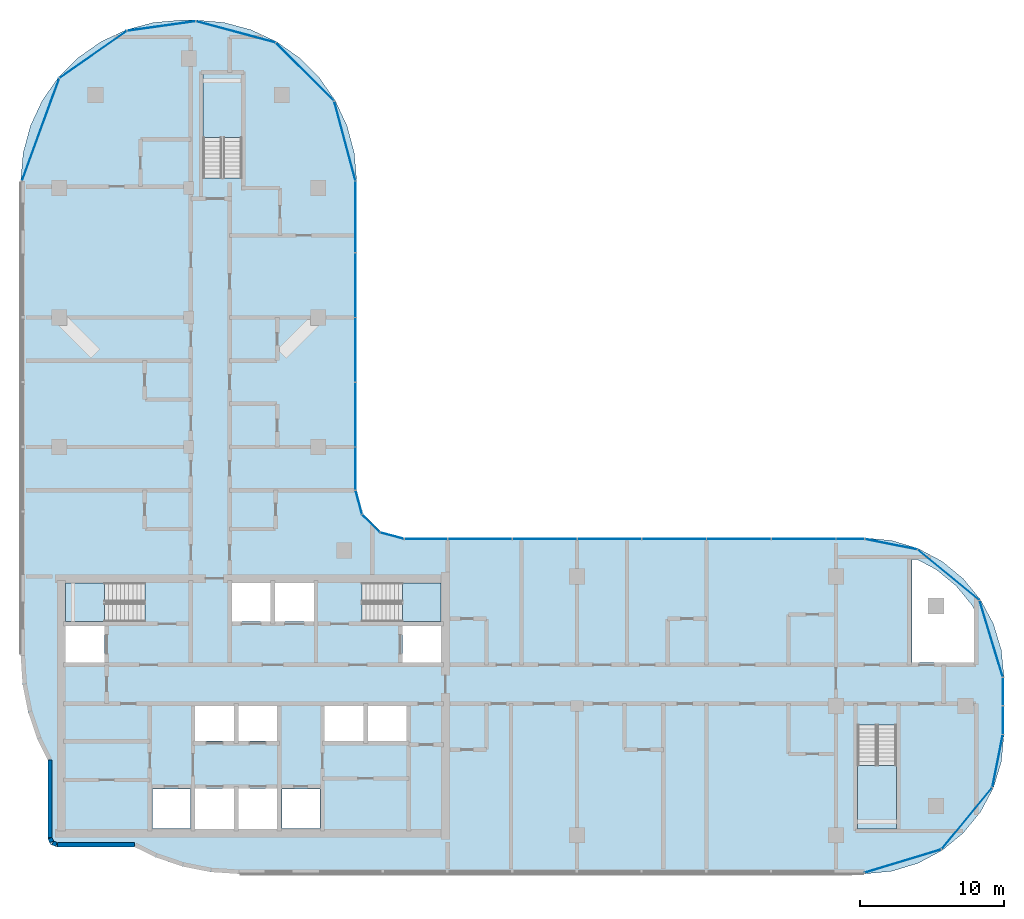
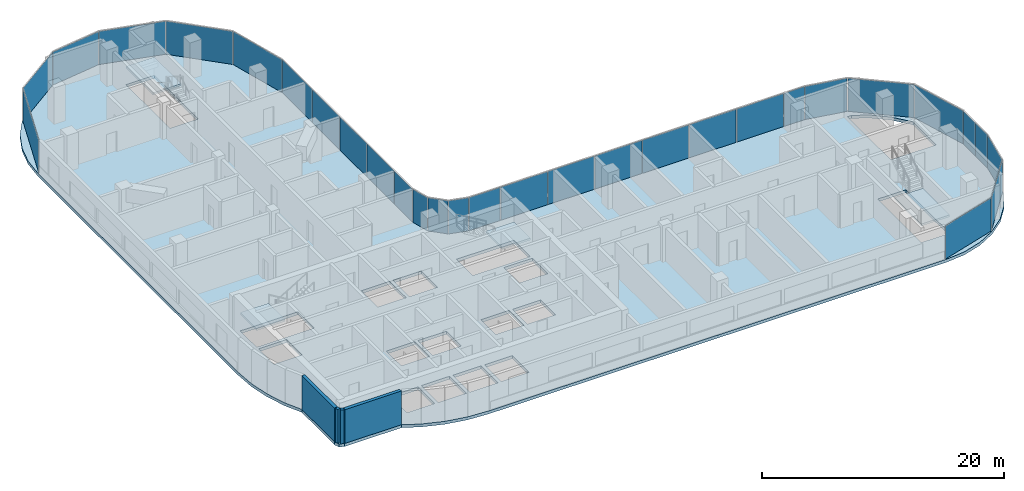
# One storey, part 9 of 23: 30 plates, 5 slabs, 4 walls, 11 elements without a shape of their own.
"""IFC4 building model written with IfcOpenShell, lengths in metres."""

from ifc_helpers import new_model, si_unit, direction, frame, frame_2d, origin, origin_2d, place, context, subcontext, project, spatial, polyline, rectangle, outline, extrude, material, layer, layer_set, type_object, element, aggregate, save


model = new_model("IFC4")

# Units and contexts
model_context = context("Model", 3, precision=1e-05, world=origin(), true_north=direction((0.0, 1.0)))
body_context = subcontext(model_context, "Body", "Model", "MODEL_VIEW")
ifc_project = project(units=[si_unit("LENGTHUNIT", "METRE"), si_unit("AREAUNIT", "SQUARE_METRE"), si_unit("VOLUMEUNIT", "CUBIC_METRE"), si_unit("PLANEANGLEUNIT", "RADIAN"), si_unit("MASSUNIT", "GRAM", prefix="KILO")], contexts=[model_context])

# Site, building, storey
site_placement = place(None, origin())
site = spatial("IfcSite", under=ifc_project, at=site_placement, CompositionType="ELEMENT")
building_placement = place(site_placement, origin())
building = spatial("IfcBuilding", under=site, at=building_placement, Name="Ogive Portal Towers", CompositionType="ELEMENT")
storey_placement = place(building_placement, frame((0.0, 0.0, 186.60009765625)))
storey = spatial("IfcBuildingStorey", under=building, at=storey_placement, Name="L46", CompositionType="ELEMENT", Elevation=186.60009765625)

# Curtain wall, plates
ifc_material_1 = material(Name="Glass, clear low-iron insulated glazing", Category="glass")
curtain_wall_type = type_object("IfcCurtainWallType", Name="CW FRONT RIBBON 4500", PredefinedType="NOTDEFINED", material=ifc_material_1)
curtain_wall_1_placement = place(storey_placement, origin())
curtain_wall_1 = element("IfcCurtainWall", 1, at=curtain_wall_1_placement, inside=storey, type_object=curtain_wall_type, Name="A:L46:f12:cw0", PredefinedType="NOTDEFINED")
ifc_layer_1 = layer(ifc_material_1, 0.028076171875)
ifc_layer_set_1 = layer_set([ifc_layer_1], Name="CW PANEL IGU 28")
plate_type = type_object("IfcPlateType", Name="CW PANEL IGU 28", PredefinedType="CURTAIN_PANEL", material=ifc_layer_set_1)
plate_1_placement = place(storey_placement, frame((97.10009765625, 29.50390625, 0.0), z_axis=(0.0, 0.0, 1.0), x_axis=(0.0, 1.0, 0.0)))
plate_1 = element("IfcPlate", 2, at=plate_1_placement, type_object=plate_type, Name="panel", PredefinedType="CURTAIN_PANEL", context=body_context, shape_type="SweptSolid", body=[
    extrude(rectangle(XDim=1.93212890625, YDim=0.028076171875, at=origin_2d()), origin(), (0.0, 0.0, 1.0), 3.340087890625),
])
plate_2_placement = place(storey_placement, frame((97.10009765625, 31.494140625, 0.0), z_axis=(0.0, 0.0, 1.0), x_axis=(0.0, 1.0, 0.0)))
plate_2 = element("IfcPlate", 3, at=plate_2_placement, type_object=plate_type, Name="panel", PredefinedType="CURTAIN_PANEL", context=body_context, shape_type="SweptSolid", body=[
    extrude(rectangle(XDim=1.92822265625, YDim=0.028076171875, at=origin_2d()), origin(), (0.0, 0.0, 1.0), 3.340087890625),
])
aggregate(curtain_wall_1, [plate_1, plate_2])

curtain_wall_2_placement = place(storey_placement, origin())
curtain_wall_2 = element("IfcCurtainWall", 4, at=curtain_wall_2_placement, inside=storey, type_object=curtain_wall_type, Name="A:L46:f16:cw0", PredefinedType="NOTDEFINED")
plate_3_placement = place(storey_placement, frame((86.49609375, 42.10009765625, 0.0), z_axis=(0.0, 0.0, 1.0), x_axis=(-1.0, 0.0, 0.0)))
plate_3 = element("IfcPlate", 5, at=plate_3_placement, type_object=plate_type, Name="panel", PredefinedType="CURTAIN_PANEL", context=body_context, shape_type="SweptSolid", body=[
    extrude(rectangle(XDim=1.93212890625, YDim=0.028076171875, at=origin_2d()), origin(), (0.0, 0.0, 1.0), 3.340087890625),
])
plate_4_placement = place(storey_placement, frame((83.25, 42.10009765625, 0.0), z_axis=(0.0, 0.0, 1.0), x_axis=(-1.0, 0.0, 0.0)))
plate_4 = element("IfcPlate", 6, at=plate_4_placement, type_object=plate_type, Name="panel", PredefinedType="CURTAIN_PANEL", context=body_context, shape_type="SweptSolid", body=[
    extrude(rectangle(XDim=4.43994140625, YDim=0.028076171875, at=origin_2d()), origin(), (0.0, 0.0, 1.0), 3.340087890625),
])
plate_5_placement = place(storey_placement, frame((78.75, 42.10009765625, 0.0), z_axis=(0.0, 0.0, 1.0), x_axis=(-1.0, 0.0, 0.0)))
plate_5 = element("IfcPlate", 7, at=plate_5_placement, type_object=plate_type, Name="panel", PredefinedType="CURTAIN_PANEL", context=body_context, shape_type="SweptSolid", body=[
    extrude(rectangle(XDim=4.43994140625, YDim=0.028076171875, at=origin_2d()), origin(), (0.0, 0.0, 1.0), 3.340087890625),
])
plate_6_placement = place(storey_placement, frame((74.25, 42.10009765625, 0.0), z_axis=(0.0, 0.0, 1.0), x_axis=(-1.0, 0.0, 0.0)))
plate_6 = element("IfcPlate", 8, at=plate_6_placement, type_object=plate_type, Name="panel", PredefinedType="CURTAIN_PANEL", context=body_context, shape_type="SweptSolid", body=[
    extrude(rectangle(XDim=4.43994140625, YDim=0.028076171875, at=origin_2d()), origin(), (0.0, 0.0, 1.0), 3.340087890625),
])
plate_7_placement = place(storey_placement, frame((69.75, 42.10009765625, 0.0), z_axis=(0.0, 0.0, 1.0), x_axis=(-1.0, 0.0, 0.0)))
plate_7 = element("IfcPlate", 9, at=plate_7_placement, type_object=plate_type, Name="panel", PredefinedType="CURTAIN_PANEL", context=body_context, shape_type="SweptSolid", body=[
    extrude(rectangle(XDim=4.43994140625, YDim=0.028076171875, at=origin_2d()), origin(), (0.0, 0.0, 1.0), 3.340087890625),
])
plate_8_placement = place(storey_placement, frame((65.25, 42.10009765625, 0.0), z_axis=(0.0, 0.0, 1.0), x_axis=(-1.0, 0.0, 0.0)))
plate_8 = element("IfcPlate", 10, at=plate_8_placement, type_object=plate_type, Name="panel", PredefinedType="CURTAIN_PANEL", context=body_context, shape_type="SweptSolid", body=[
    extrude(rectangle(XDim=4.43994140625, YDim=0.028076171875, at=origin_2d()), origin(), (0.0, 0.0, 1.0), 3.340087890625),
])
plate_9_placement = place(storey_placement, frame((60.75, 42.10009765625, 0.0), z_axis=(0.0, 0.0, 1.0), x_axis=(-1.0, 0.0, 0.0)))
plate_9 = element("IfcPlate", 11, at=plate_9_placement, type_object=plate_type, Name="panel", PredefinedType="CURTAIN_PANEL", context=body_context, shape_type="SweptSolid", body=[
    extrude(rectangle(XDim=4.43994140625, YDim=0.028076171875, at=origin_2d()), origin(), (0.0, 0.0, 1.0), 3.340087890625),
])
plate_10_placement = place(storey_placement, frame((56.99462890625, 42.10009765625, 0.0), z_axis=(0.0, 0.0, 1.0), x_axis=(-1.0, 0.0, 0.0)))
plate_10 = element("IfcPlate", 12, at=plate_10_placement, type_object=plate_type, Name="panel", PredefinedType="CURTAIN_PANEL", context=body_context, shape_type="SweptSolid", body=[
    extrude(rectangle(XDim=2.950439453125, YDim=0.028076171875, at=origin_2d()), origin(), (0.0, 0.0, 1.0), 3.340087890625),
])
aggregate(curtain_wall_2, [plate_3, plate_4, plate_5, plate_6, plate_7, plate_8, plate_9, plate_10])

curtain_wall_3_placement = place(storey_placement, origin())
curtain_wall_3 = element("IfcCurtainWall", 13, at=curtain_wall_3_placement, inside=storey, type_object=curtain_wall_type, Name="A:L46:f20:cw0", PredefinedType="NOTDEFINED")
plate_11_placement = place(storey_placement, frame((52.10009765625, 46.99462890625, 0.0), z_axis=(0.0, 0.0, 1.0), x_axis=(0.0, 1.0, 0.0)))
plate_11 = element("IfcPlate", 14, at=plate_11_placement, type_object=plate_type, Name="panel", PredefinedType="CURTAIN_PANEL", context=body_context, shape_type="SweptSolid", body=[
    extrude(rectangle(XDim=2.950439453125, YDim=0.028076171875, at=origin_2d()), origin(), (0.0, 0.0, 1.0), 3.340087890625),
])
plate_12_placement = place(storey_placement, frame((52.10009765625, 50.75, 0.0), z_axis=(0.0, 0.0, 1.0), x_axis=(0.0, 1.0, 0.0)))
plate_12 = element("IfcPlate", 15, at=plate_12_placement, type_object=plate_type, Name="panel", PredefinedType="CURTAIN_PANEL", context=body_context, shape_type="SweptSolid", body=[
    extrude(rectangle(XDim=4.43994140625, YDim=0.028076171875, at=origin_2d()), origin(), (0.0, 0.0, 1.0), 3.340087890625),
])
plate_13_placement = place(storey_placement, frame((52.10009765625, 55.25, 0.0), z_axis=(0.0, 0.0, 1.0), x_axis=(0.0, 1.0, 0.0)))
plate_13 = element("IfcPlate", 16, at=plate_13_placement, type_object=plate_type, Name="panel", PredefinedType="CURTAIN_PANEL", context=body_context, shape_type="SweptSolid", body=[
    extrude(rectangle(XDim=4.43994140625, YDim=0.028076171875, at=origin_2d()), origin(), (0.0, 0.0, 1.0), 3.340087890625),
])
plate_14_placement = place(storey_placement, frame((52.10009765625, 59.75, 0.0), z_axis=(0.0, 0.0, 1.0), x_axis=(0.0, 1.0, 0.0)))
plate_14 = element("IfcPlate", 17, at=plate_14_placement, type_object=plate_type, Name="panel", PredefinedType="CURTAIN_PANEL", context=body_context, shape_type="SweptSolid", body=[
    extrude(rectangle(XDim=4.43994140625, YDim=0.028076171875, at=origin_2d()), origin(), (0.0, 0.0, 1.0), 3.340087890625),
])
plate_15_placement = place(storey_placement, frame((52.10009765625, 64.49462890625, 0.0), z_axis=(0.0, 0.0, 1.0), x_axis=(0.0, 1.0, 0.0)))
plate_15 = element("IfcPlate", 18, at=plate_15_placement, type_object=plate_type, Name="panel", PredefinedType="CURTAIN_PANEL", context=body_context, shape_type="SweptSolid", body=[
    extrude(rectangle(XDim=4.929443359375, YDim=0.028076171875, at=origin_2d()), origin(), (0.0, 0.0, 1.0), 3.340087890625),
])
aggregate(curtain_wall_3, [plate_11, plate_12, plate_13, plate_14, plate_15])

curtain_wall_4_placement = place(storey_placement, origin())
curtain_wall_4 = element("IfcCurtainWall", 19, at=curtain_wall_4_placement, inside=storey, type_object=curtain_wall_type, Name="A:L46:f09:cwa", PredefinedType="NOTDEFINED")
plate_16_placement = place(storey_placement, frame((90.159912109375, 19.71044921875, 0.0), z_axis=(0.0, 0.0, 1.0), x_axis=(0.956940335732, 0.290284677254, 0.0)))
plate_16 = element("IfcPlate", 20, at=plate_16_placement, type_object=plate_type, Name="panel", PredefinedType="CURTAIN_PANEL", context=body_context, shape_type="SweptSolid", body=[
    extrude(rectangle(XDim=5.523681640625, YDim=0.028076171875, at=origin_2d()), origin(), (0.0, 0.0, 1.0), 3.340087890625),
])
plate_17_placement = place(storey_placement, frame((94.60009765625, 22.67578125, 0.0), z_axis=(0.0, 0.0, 1.0), x_axis=(0.634393284164, 0.773010453363, 0.0)))
plate_17 = element("IfcPlate", 21, at=plate_17_placement, type_object=plate_type, Name="panel", PredefinedType="CURTAIN_PANEL", context=body_context, shape_type="SweptSolid", body=[
    extrude(rectangle(XDim=5.515625, YDim=0.028076171875, at=origin_2d()), origin(), (0.0, 0.0, 1.0), 3.340087890625),
])
plate_18_placement = place(storey_placement, frame((96.734375, 26.66943359375, 0.0), z_axis=(0.0, 0.0, 1.0), x_axis=(0.195090322016, 0.980785280403, 0.0)))
plate_18 = element("IfcPlate", 22, at=plate_18_placement, type_object=plate_type, Name="panel", PredefinedType="CURTAIN_PANEL", context=body_context, shape_type="SweptSolid", body=[
    extrude(rectangle(XDim=3.68896484375, YDim=0.028076171875, at=origin_2d()), origin(), (0.0, 0.0, 1.0), 3.340087890625),
])
aggregate(curtain_wall_4, [plate_16, plate_17, plate_18])

curtain_wall_5_placement = place(storey_placement, origin())
curtain_wall_5 = element("IfcCurtainWall", 23, at=curtain_wall_5_placement, inside=storey, type_object=curtain_wall_type, Name="A:L46:f13:cwa", PredefinedType="NOTDEFINED")
plate_19_placement = place(storey_placement, frame((96.28955078125, 35.159912109375, 0.0), z_axis=(0.0, 0.0, 1.0), x_axis=(-0.290284677254, 0.956940335732, 0.0)))
plate_19 = element("IfcPlate", 24, at=plate_19_placement, type_object=plate_type, Name="panel", PredefinedType="CURTAIN_PANEL", context=body_context, shape_type="SweptSolid", body=[
    extrude(rectangle(XDim=5.523681640625, YDim=0.028076171875, at=origin_2d()), origin(), (0.0, 0.0, 1.0), 3.340087890625),
])
plate_20_placement = place(storey_placement, frame((93.32421875, 39.60009765625, 0.0), z_axis=(0.0, 0.0, 1.0), x_axis=(-0.773010453363, 0.634393284164, 0.0)))
plate_20 = element("IfcPlate", 25, at=plate_20_placement, type_object=plate_type, Name="panel", PredefinedType="CURTAIN_PANEL", context=body_context, shape_type="SweptSolid", body=[
    extrude(rectangle(XDim=5.515625, YDim=0.028076171875, at=origin_2d()), origin(), (0.0, 0.0, 1.0), 3.340087890625),
])
plate_21_placement = place(storey_placement, frame((89.33056640625, 41.734375, 0.0), z_axis=(0.0, 0.0, 1.0), x_axis=(-0.980785280403, 0.195090322016, 0.0)))
plate_21 = element("IfcPlate", 26, at=plate_21_placement, type_object=plate_type, Name="panel", PredefinedType="CURTAIN_PANEL", context=body_context, shape_type="SweptSolid", body=[
    extrude(rectangle(XDim=3.68896484375, YDim=0.028076171875, at=origin_2d()), origin(), (0.0, 0.0, 1.0), 3.340087890625),
])
aggregate(curtain_wall_5, [plate_19, plate_20, plate_21])

curtain_wall_6_placement = place(storey_placement, origin())
curtain_wall_6 = element("IfcCurtainWall", 27, at=curtain_wall_6_placement, inside=storey, type_object=curtain_wall_type, Name="A:L46:f17:cwa", PredefinedType="NOTDEFINED")
plate_22_placement = place(storey_placement, frame((54.64404296875, 42.326416015625, 0.0), z_axis=(0.0, 0.0, 1.0), x_axis=(-0.965925826289, 0.258819045103, 0.0)))
plate_22 = element("IfcPlate", 28, at=plate_22_placement, type_object=plate_type, Name="panel", PredefinedType="CURTAIN_PANEL", context=body_context, shape_type="SweptSolid", body=[
    extrude(rectangle(XDim=1.6904296875, YDim=0.028076171875, at=origin_2d()), origin(), (0.0, 0.0, 1.0), 3.340087890625),
])
plate_23_placement = place(storey_placement, frame((53.17578125, 43.17578125, 0.0), z_axis=(0.0, 0.0, 1.0), x_axis=(-0.707106781187, 0.707106781187, 0.0)))
plate_23 = element("IfcPlate", 29, at=plate_23_placement, type_object=plate_type, Name="panel", PredefinedType="CURTAIN_PANEL", context=body_context, shape_type="SweptSolid", body=[
    extrude(rectangle(XDim=1.701416015625, YDim=0.028076171875, at=origin_2d()), origin(), (0.0, 0.0, 1.0), 3.340087890625),
])
plate_24_placement = place(storey_placement, frame((52.326416015625, 44.64404296875, 0.0), z_axis=(0.0, 0.0, 1.0), x_axis=(-0.258819045103, 0.965925826289, 0.0)))
plate_24 = element("IfcPlate", 30, at=plate_24_placement, type_object=plate_type, Name="panel", PredefinedType="CURTAIN_PANEL", context=body_context, shape_type="SweptSolid", body=[
    extrude(rectangle(XDim=1.6904296875, YDim=0.028076171875, at=origin_2d()), origin(), (0.0, 0.0, 1.0), 3.340087890625),
])
aggregate(curtain_wall_6, [plate_22, plate_23, plate_24])

curtain_wall_7_placement = place(storey_placement, origin())
curtain_wall_7 = element("IfcCurtainWall", 31, at=curtain_wall_7_placement, inside=storey, type_object=curtain_wall_type, Name="A:L46:f21:cwa", PredefinedType="NOTDEFINED")
plate_25_placement = place(storey_placement, frame((51.355224609375, 69.76904296875, 0.0), z_axis=(0.0, 0.0, 1.0), x_axis=(-0.258819045103, 0.965925826289, 0.0)))
plate_25 = element("IfcPlate", 32, at=plate_25_placement, type_object=plate_type, Name="panel", PredefinedType="CURTAIN_PANEL", context=body_context, shape_type="SweptSolid", body=[
    extrude(rectangle(XDim=5.6953125, YDim=0.028076171875, at=origin_2d()), origin(), (0.0, 0.0, 1.0), 3.340087890625),
])
plate_26_placement = place(storey_placement, frame((48.57958984375, 74.57958984375, 0.0), z_axis=(0.0, 0.0, 1.0), x_axis=(-0.707106781187, 0.707106781187, 0.0)))
plate_26 = element("IfcPlate", 33, at=plate_26_placement, type_object=plate_type, Name="panel", PredefinedType="CURTAIN_PANEL", context=body_context, shape_type="SweptSolid", body=[
    extrude(rectangle(XDim=5.684326171875, YDim=0.028076171875, at=origin_2d()), origin(), (0.0, 0.0, 1.0), 3.340087890625),
])
plate_27_placement = place(storey_placement, frame((43.771728515625, 77.3544921875, 0.0), z_axis=(0.0, 0.0, 1.0), x_axis=(-0.965925826289, 0.258819045103, 0.0)))
plate_27 = element("IfcPlate", 34, at=plate_27_placement, type_object=plate_type, Name="panel", PredefinedType="CURTAIN_PANEL", context=body_context, shape_type="SweptSolid", body=[
    extrude(rectangle(XDim=5.689453125, YDim=0.028076171875, at=origin_2d()), origin(), (0.0, 0.0, 1.0), 3.340087890625),
])
plate_28_placement = place(storey_placement, frame((38.6005859375, 77.763916015625, 0.0), z_axis=(0.0, 0.0, 1.0), x_axis=(-0.990372546931, -0.13842766445, 0.0)))
plate_28 = element("IfcPlate", 35, at=plate_28_placement, type_object=plate_type, Name="panel", PredefinedType="CURTAIN_PANEL", context=body_context, shape_type="SweptSolid", body=[
    extrude(rectangle(XDim=4.775146484375, YDim=0.028076171875, at=origin_2d()), origin(), (0.0, 0.0, 1.0), 3.340087890625),
])
plate_29_placement = place(storey_placement, frame((33.854248046875, 75.7822265625, 0.0), z_axis=(0.0, 0.0, 1.0), x_axis=(-0.819152044289, -0.573576436351, 0.0)))
plate_29 = element("IfcPlate", 36, at=plate_29_placement, type_object=plate_type, Name="panel", PredefinedType="CURTAIN_PANEL", context=body_context, shape_type="SweptSolid", body=[
    extrude(rectangle(XDim=5.6826171875, YDim=0.028076171875, at=origin_2d()), origin(), (0.0, 0.0, 1.0), 3.340087890625),
])
plate_30_placement = place(storey_placement, frame((30.201171875, 70.560546875, 0.0), z_axis=(0.0, 0.0, 1.0), x_axis=(-0.342020143326, -0.939692620786, 0.0)))
plate_30 = element("IfcPlate", 37, at=plate_30_placement, type_object=plate_type, Name="panel", PredefinedType="CURTAIN_PANEL", context=body_context, shape_type="SweptSolid", body=[
    extrude(rectangle(XDim=7.54833984375, YDim=0.028076171875, at=origin_2d()), origin(), (0.0, 0.0, 1.0), 3.340087890625),
])
aggregate(curtain_wall_7, [plate_25, plate_26, plate_27, plate_28, plate_29, plate_30])

# Stair, slab
ifc_material_2 = material(Name="Concrete C40/50", Category="concrete")
stair_type = type_object("IfcStairType", Name="INT-STAIR", PredefinedType="HALF_TURN_STAIR", material=ifc_material_2)
stair_1_placement = place(storey_placement, origin())
stair_1 = element("IfcStair", 38, at=stair_1_placement, inside=storey, type_object=stair_type, Name="L46 Exit Stair ST-A1", PredefinedType="HALF_TURN_STAIR")
ifc_layer_2 = layer(ifc_material_2, 0.199951171875)
ifc_layer_set_2 = layer_set([ifc_layer_2], Name="INT-LANDING")
slab_type_1 = type_object("IfcSlabType", Name="INT-LANDING", PredefinedType="LANDING", material=ifc_layer_set_2)
slab_1_placement = place(storey_placement, frame((0.0, 0.0, 1.64990234375)))
slab_1 = element("IfcSlab", 39, at=slab_1_placement, type_object=slab_type_1, Name="ST-A1 landing 1", PredefinedType="LANDING", context=body_context, shape_type="SweptSolid", body=[
    extrude(outline(polyline([(34.64990234375, 39.050048828125), (31.949951171875, 39.050048828125), (31.949951171875, 36.35009765625), (34.64990234375, 36.35009765625), (34.64990234375, 39.050048828125)])), origin(), (0.0, 0.0, 1.0), 0.199951171875),
])
aggregate(stair_1, [slab_1])

stair_2_placement = place(storey_placement, origin())
stair_2 = element("IfcStair", 40, at=stair_2_placement, inside=storey, type_object=stair_type, Name="L46 Exit Stair ST-A2", PredefinedType="HALF_TURN_STAIR")
slab_2_placement = place(storey_placement, frame((0.0, 0.0, 1.64990234375)))
slab_2 = element("IfcSlab", 41, at=slab_2_placement, type_object=slab_type_1, Name="ST-A2 landing 1", PredefinedType="LANDING", context=body_context, shape_type="SweptSolid", body=[
    extrude(outline(polyline([(55.35009765625, 36.35009765625), (58.050048828125, 36.35009765625), (58.050048828125, 39.050048828125), (55.35009765625, 39.050048828125), (55.35009765625, 36.35009765625)])), origin(), (0.0, 0.0, 1.0), 0.199951171875),
])
aggregate(stair_2, [slab_2])

stair_3_placement = place(storey_placement, origin())
stair_3 = element("IfcStair", 42, at=stair_3_placement, inside=storey, type_object=stair_type, Name="L46 Exit Stair ST-A3", PredefinedType="HALF_TURN_STAIR")
slab_3_placement = place(storey_placement, frame((0.0, 0.0, 1.64990234375)))
slab_3 = element("IfcSlab", 43, at=slab_3_placement, type_object=slab_type_1, Name="ST-A3 landing 1", PredefinedType="LANDING", context=body_context, shape_type="SweptSolid", body=[
    extrude(outline(polyline([(44.199951171875, 70.0), (44.199951171875, 74.449951171875), (41.5, 74.449951171875), (41.5, 70.0), (44.199951171875, 70.0)])), origin(), (0.0, 0.0, 1.0), 0.199951171875),
])
aggregate(stair_3, [slab_3])

stair_4_placement = place(storey_placement, origin())
stair_4 = element("IfcStair", 44, at=stair_4_placement, inside=storey, type_object=stair_type, Name="L46 Exit Stair ST-A4", PredefinedType="HALF_TURN_STAIR")
slab_4_placement = place(storey_placement, frame((0.0, 0.0, 1.64990234375)))
slab_4 = element("IfcSlab", 45, at=slab_4_placement, type_object=slab_type_1, Name="ST-A4 landing 1", PredefinedType="LANDING", context=body_context, shape_type="SweptSolid", body=[
    extrude(outline(polyline([(87.0, 26.3701171875), (87.0, 21.949951171875), (89.699951171875, 21.949951171875), (89.699951171875, 26.3701171875), (87.0, 26.3701171875)])), origin(), (0.0, 0.0, 1.0), 0.199951171875),
])
aggregate(stair_4, [slab_4])

# Slab
ifc_material_3 = material(Name="Concrete C45/55", Category="concrete")
ifc_layer_3 = layer(ifc_material_3, 0.300048828125)
ifc_layer_set_3 = layer_set([ifc_layer_3], Name="PT FLAT PLATE 300")
slab_type_2 = type_object("IfcSlabType", Name="PT FLAT PLATE 300", PredefinedType="FLOOR", material=ifc_layer_set_3)
slab_5_placement = place(storey_placement, frame((0.0, 0.0, -0.300048828125)))
element("IfcSlab", 46, at=slab_5_placement, inside=storey, type_object=slab_type_2, Name="Floor slab L46", PredefinedType="FLOOR", context=body_context, shape_type="SweptSolid", body=[
    extrude(outline(polyline([(29.337158203125, 30.071044921875), (29.9755859375, 28.19091796875), (30.699951171875, 26.7216796875), (30.699951171875, 21.300048828125), (30.875732421875, 20.875732421875), (31.300048828125, 20.699951171875), (36.7216796875, 20.699951171875), (38.19091796875, 19.9755859375), (40.071044921875, 19.337158203125), (42.0185546875, 18.949951171875), (44.0, 18.820068359375), (87.5, 18.820068359375), (89.388427734375, 19.006103515625), (91.204345703125, 19.556884765625), (92.8779296875, 20.451416015625), (94.3447265625, 21.6552734375), (95.548583984375, 23.1220703125), (96.443115234375, 24.795654296875), (96.993896484375, 26.611572265625), (97.179931640625, 28.5), (97.179931640625, 32.5), (96.993896484375, 34.388427734375), (96.443115234375, 36.204345703125), (95.548583984375, 37.8779296875), (94.3447265625, 39.3447265625), (92.8779296875, 40.548583984375), (91.204345703125, 41.443115234375), (89.388427734375, 41.993896484375), (87.5, 42.179931640625), (55.5, 42.179931640625), (53.840087890625, 42.624755859375), (52.624755859375, 43.840087890625), (52.179931640625, 45.5), (52.179931640625, 67.0), (52.01025390625, 68.94140625), (51.505859375, 70.82373046875), (50.68212890625, 72.590087890625), (49.564453125, 74.186279296875), (48.186279296875, 75.564453125), (46.590087890625, 76.68212890625), (44.82373046875, 77.505859375), (42.94140625, 78.01025390625), (41.0, 78.179931640625), (40.0, 78.179931640625), (38.05859375, 78.01025390625), (36.17626953125, 77.505859375), (34.409912109375, 76.68212890625), (32.813720703125, 75.564453125), (31.435546875, 74.186279296875), (30.31787109375, 72.590087890625), (29.494140625, 70.82373046875), (28.98974609375, 68.94140625), (28.820068359375, 67.0), (28.820068359375, 34.0), (28.949951171875, 32.0185546875), (29.337158203125, 30.071044921875)]), holes=[polyline([(40.6298828125, 21.969970703125), (37.969970703125, 21.969970703125), (37.969970703125, 24.72998046875), (40.6298828125, 24.72998046875), (40.6298828125, 21.969970703125)]), polyline([(43.64990234375, 24.75), (43.64990234375, 21.949951171875), (40.949951171875, 21.949951171875), (40.949951171875, 24.75), (43.64990234375, 24.75)]), polyline([(46.64990234375, 24.75), (46.64990234375, 21.949951171875), (43.949951171875, 21.949951171875), (43.949951171875, 24.75), (46.64990234375, 24.75)]), polyline([(43.64990234375, 30.5), (43.64990234375, 28.050048828125), (40.949951171875, 28.050048828125), (40.949951171875, 30.5), (43.64990234375, 30.5)]), polyline([(46.64990234375, 30.5), (46.64990234375, 28.050048828125), (43.949951171875, 28.050048828125), (43.949951171875, 30.5), (46.64990234375, 30.5)]), polyline([(34.64990234375, 36.050048828125), (34.64990234375, 33.5), (31.949951171875, 33.5), (31.949951171875, 36.050048828125), (34.64990234375, 36.050048828125)]), polyline([(31.951904296875, 39.048095703125), (37.447998046875, 39.048095703125), (37.447998046875, 36.35205078125), (31.951904296875, 36.35205078125), (31.951904296875, 39.048095703125)]), polyline([(46.199951171875, 39.050048828125), (46.199951171875, 36.35009765625), (43.5, 36.35009765625), (43.5, 39.050048828125), (46.199951171875, 39.050048828125)]), polyline([(44.197998046875, 74.447998046875), (44.197998046875, 67.201904296875), (41.501953125, 67.201904296875), (41.501953125, 74.447998046875), (44.197998046875, 74.447998046875)]), polyline([(49.6298828125, 21.969970703125), (46.969970703125, 21.969970703125), (46.969970703125, 24.72998046875), (49.6298828125, 24.72998046875), (49.6298828125, 21.969970703125)]), polyline([(87.001953125, 21.951904296875), (87.001953125, 29.16796875), (89.697998046875, 29.16796875), (89.697998046875, 21.951904296875), (87.001953125, 21.951904296875)]), polyline([(52.64990234375, 30.5), (52.64990234375, 28.050048828125), (49.949951171875, 28.050048828125), (49.949951171875, 30.5), (52.64990234375, 30.5)]), polyline([(55.64990234375, 30.5), (55.64990234375, 28.050048828125), (52.949951171875, 28.050048828125), (52.949951171875, 30.5), (55.64990234375, 30.5)]), polyline([(58.050048828125, 36.050048828125), (58.050048828125, 33.5), (55.35009765625, 33.5), (55.35009765625, 36.050048828125), (58.050048828125, 36.050048828125)]), polyline([(93.847412109375, 38.847412109375), (94.9638671875, 37.487060546875), (95.080078125, 37.269775390625), (95.080078125, 33.52001953125), (90.77001953125, 33.52001953125), (90.77001953125, 40.679931640625), (91.147216796875, 40.679931640625), (92.487060546875, 39.9638671875), (93.847412109375, 38.847412109375)]), polyline([(49.199951171875, 36.35009765625), (46.5, 36.35009765625), (46.5, 39.050048828125), (49.199951171875, 39.050048828125), (49.199951171875, 36.35009765625)]), polyline([(52.552001953125, 36.35205078125), (52.552001953125, 39.048095703125), (58.048095703125, 39.048095703125), (58.048095703125, 36.35205078125), (52.552001953125, 36.35205078125)])]), origin(), (0.0, 0.0, 1.0), 0.300048828125),
])

# Walls
ifc_material_4 = material(Name="Limestone cladding on lightweight block wall", Category="masonry")
ifc_layer_4 = layer(ifc_material_4, 0.300048828125)
ifc_layer_set_4 = layer_set([ifc_layer_4], Name="EXTERNAL WALL 300 STONE")
wall_type = type_object("IfcWallType", Name="EXTERNAL WALL 300 STONE", PredefinedType="SOLIDWALL", material=ifc_layer_set_4)
wall_1_placement = place(storey_placement, frame((30.85009765625, 26.7216796875, 0.0), z_axis=(0.0, 0.0, 1.0), x_axis=(0.0, -1.0, 0.0)))
element("IfcWall", 47, at=wall_1_placement, inside=storey, type_object=wall_type, Name="A:L46:f00:r0:wall", PredefinedType="SOLIDWALL", context=body_context, shape_type="SweptSolid", body=[
    extrude(rectangle(XDim=5.362060546875, YDim=0.300048828125, at=frame_2d((2.68115234375, 0.0))), origin(), (0.0, 0.0, 1.0), 3.39990234375),
])
for number, where, z_axis, x_axis, name in (
    (48, (30.861328125, 21.30224609375, 0.0), (0.0, 0.0, 1.0), (0.38297812142, -0.923757413239, 0.0), "A:L46:f01:r0:wall"),
    (49, (31.0478515625, 20.966796875, 0.0), (0.0, 0.0, 1.0), (0.923757413239, -0.38297812142, 0.0), "A:L46:f02:r0:wall"),
):
    element("IfcWall", number, at=place(storey_placement, frame(where, z_axis=z_axis, x_axis=x_axis)), inside=storey, type_object=wall_type, Name=name, PredefinedType="SOLIDWALL", context=body_context, shape_type="SweptSolid", body=[
        extrude(rectangle(XDim=0.275390625, YDim=0.300048828125, at=frame_2d((0.1376953125, 0.0))), origin(), (0.0, 0.0, 1.0), 3.39990234375),
    ])
wall_2_placement = place(storey_placement, frame((31.359619140625, 20.85009765625, 0.0), z_axis=(0.0, 0.0, 1.0), x_axis=(1.0, 0.0, 0.0)))
element("IfcWall", 50, at=wall_2_placement, inside=storey, type_object=wall_type, Name="A:L46:f03:r0:wall", PredefinedType="SOLIDWALL", context=body_context, shape_type="SweptSolid", body=[
    extrude(rectangle(XDim=5.362060546875, YDim=0.300048828125, at=frame_2d((2.68115234375, 0.0))), origin(), (0.0, 0.0, 1.0), 3.39990234375),
])

save(model, "model.ifc")
